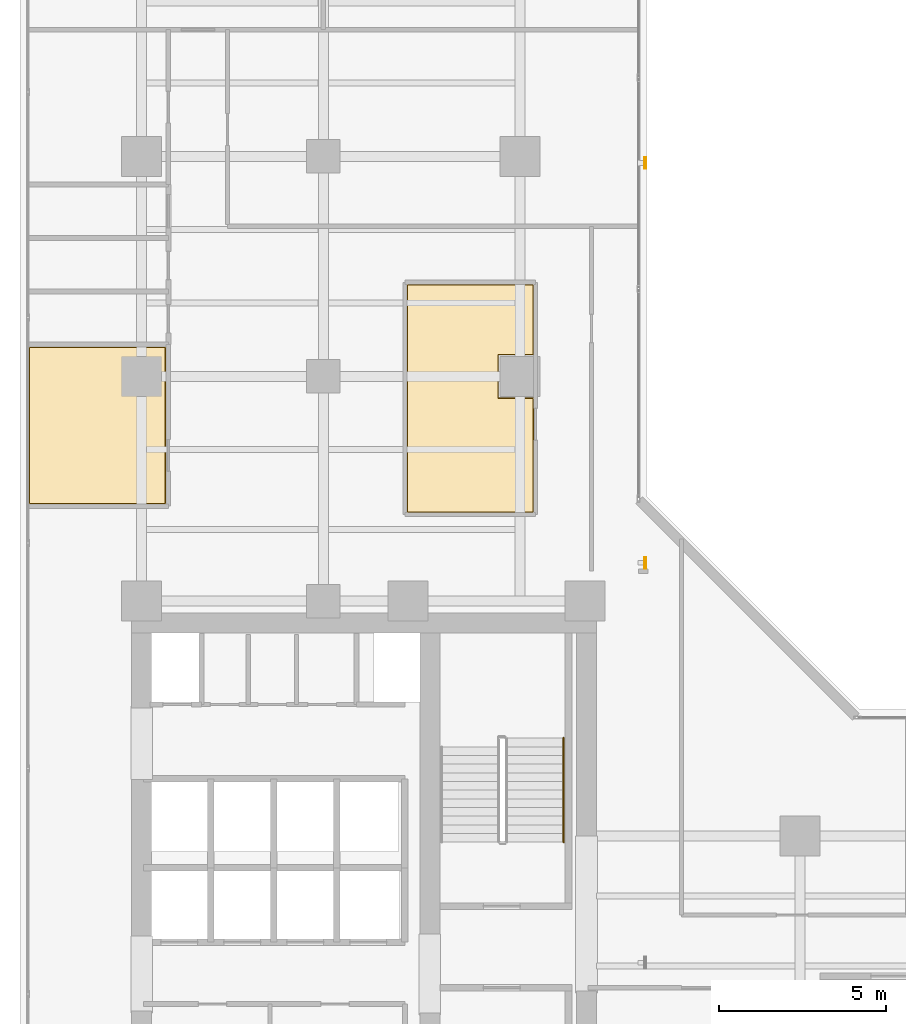
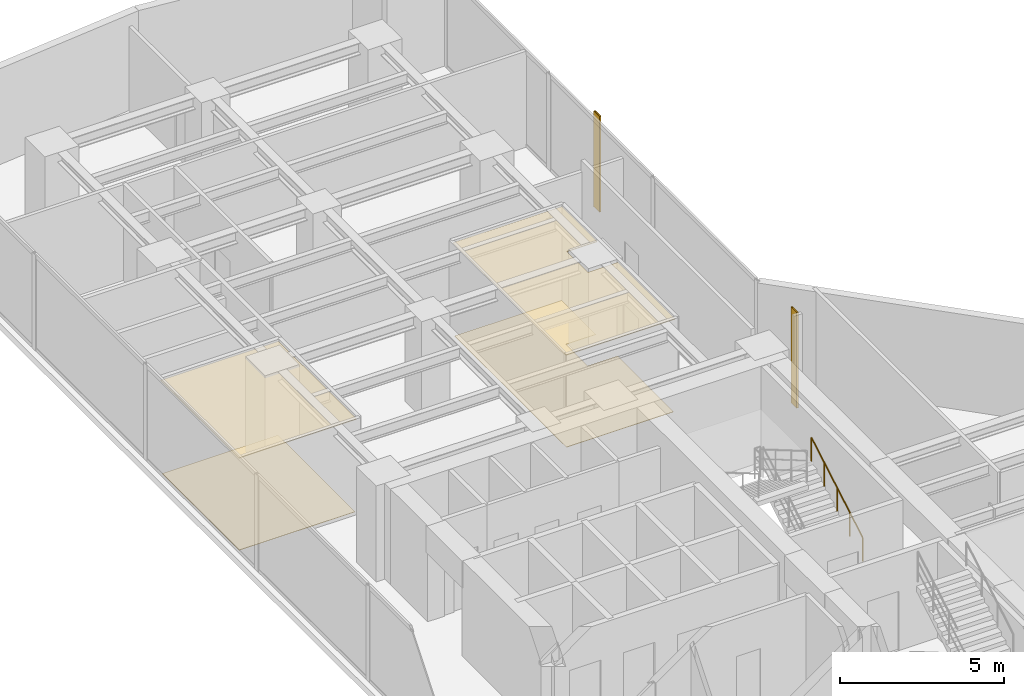
# One storey, part 24 of 24: 4 coverings, 2 shading devices, 1 railing.
"""IFC4 building model written with IfcOpenShell, lengths in metres."""

from ifc_helpers import new_model, si_unit, direction, frame, origin, origin_2d, place, context, subcontext, project, spatial, polyline, hollow_rectangle, circle, outline, extrude, material, layer, layer_set, material_profile, profile_set, type_object, element, save


model = new_model("IFC4")

# Units and contexts
model_context = context("Model", 3, precision=1e-05, world=origin(), true_north=direction((0.0, 1.0)))
body_context = subcontext(model_context, "Body", "Model", "MODEL_VIEW")
ifc_project = project(units=[si_unit("LENGTHUNIT", "METRE"), si_unit("AREAUNIT", "SQUARE_METRE"), si_unit("VOLUMEUNIT", "CUBIC_METRE"), si_unit("PLANEANGLEUNIT", "RADIAN"), si_unit("MASSUNIT", "GRAM", prefix="KILO")], contexts=[model_context])

# Site, building, storey
site_placement = place(None, origin())
site = spatial("IfcSite", under=ifc_project, at=site_placement, CompositionType="ELEMENT")
building_placement = place(site_placement, origin())
building = spatial("IfcBuilding", under=site, at=building_placement, Name="Kolvaren Waterfront Exchange", CompositionType="ELEMENT")
storey_placement = place(building_placement, frame((0.0, 0.0, 172.800048828125)))
storey = spatial("IfcBuildingStorey", under=building, at=storey_placement, Name="L44", CompositionType="ELEMENT", Elevation=172.800048828125)

# Coverings
ifc_material_1 = material(Name="Mineral fibre acoustic ceiling tile")
ifc_layer_1 = layer(ifc_material_1, 0.02490234375, Name="Mineral fibre acoustic ceiling tile")
ifc_layer_set_1 = layer_set([ifc_layer_1], Name="Mineral fibre acoustic ceiling tile")
covering_type_1 = type_object("IfcCoveringType", Name="ARC-CEIL-ACOUSTIC-25", PredefinedType="CEILING", material=ifc_layer_set_1)
covering_1_placement = place(storey_placement, frame((0.0, 0.0, 3.445068359375)))
element("IfcCovering", 1, at=covering_1_placement, inside=storey, type_object=covering_type_1, Name="L44 acoustic suspended ceiling 1", PredefinedType="CEILING", context=body_context, shape_type="SweptSolid", body=[
    extrude(outline(polyline([(19.22509765625, 30.56005859375), (18.159912109375, 30.56005859375), (18.159912109375, 31.840087890625), (19.22509765625, 31.840087890625), (19.22509765625, 33.97509765625), (15.39501953125, 33.97509765625), (15.39501953125, 27.094970703125), (19.22509765625, 27.094970703125), (19.22509765625, 30.56005859375)])), origin(), (0.0, 0.0, 1.0), 0.02490234375),
])
covering_2_placement = place(storey_placement, frame((0.0, 0.0, 3.445068359375)))
element("IfcCovering", 2, at=covering_2_placement, inside=storey, type_object=covering_type_1, Name="L44 acoustic suspended ceiling 2", PredefinedType="CEILING", context=body_context, shape_type="SweptSolid", body=[
    extrude(outline(polyline([(8.18505859375, 27.344970703125), (8.18505859375, 32.10498046875), (4.044921875, 32.10498046875), (4.044921875, 27.344970703125), (8.18505859375, 27.344970703125)])), origin(), (0.0, 0.0, 1.0), 0.02490234375),
])

# Shading devices
ifc_material_2 = material(Name="Anodised bronze aluminium 6063-T6", Category="aluminium")
ifc_material_profile = material_profile(ifc_material_2, hollow_rectangle(XDim=0.06005859375, YDim=0.35009765625, WallThickness=0.0048828125, at=origin_2d()), Name="BRZ-FIN-350x60x5")
ifc_profile_set = profile_set([ifc_material_profile], Name="Anodised bronze aluminium 6063-T6")
shading_device_type = type_object("IfcShadingDeviceType", Name="ARC-FIN-350", PredefinedType="USERDEFINED", material=ifc_profile_set)
for number, where, z_axis, x_axis, name in (
    (3, (22.56005859375, 25.60009765625, 0.0), (0.0, 0.0, 1.0), (1.0, 0.0, 0.0), "L44 anodised bronze solar shading fin FIN-L44-E2"),
    (4, (22.56005859375, 37.60009765625, 0.0), (0.0, 0.0, 1.0), (1.0, 0.0, 0.0), "L44 anodised bronze solar shading fin FIN-L44-E3"),
):
    element("IfcShadingDevice", number, at=place(storey_placement, frame(where, z_axis=z_axis, x_axis=x_axis)), inside=storey, type_object=shading_device_type, Name=name, ObjectType="SOLAR FIN", PredefinedType="USERDEFINED", context=body_context, shape_type="SweptSolid", body=[
        extrude(hollow_rectangle(XDim=0.06005859375, YDim=0.35009765625, WallThickness=0.0048828125, at=origin_2d()), origin(), (0.0, 0.0, 1.0), 3.56005859375),
    ])

# Coverings
ifc_material_3 = material(Name="Slip-resistant porcelain tile")
ifc_layer_2 = layer(ifc_material_3, 0.014892578125, Name="Slip-resistant porcelain tile")
ifc_layer_set_2 = layer_set([ifc_layer_2], Name="Slip-resistant porcelain tile")
covering_type_2 = type_object("IfcCoveringType", Name="ARC-FLR-PORC-15", PredefinedType="FLOORING", material=ifc_layer_set_2)
covering_3_placement = place(storey_placement, origin())
element("IfcCovering", 5, at=covering_3_placement, inside=storey, type_object=covering_type_2, Name="L44 floor finish 1", PredefinedType="FLOORING", context=body_context, shape_type="SweptSolid", body=[
    extrude(outline(polyline([(15.429931640625, 33.93994140625), (15.429931640625, 27.1298828125), (19.18994140625, 27.1298828125), (19.18994140625, 30.5400390625), (18.139892578125, 30.5400390625), (18.139892578125, 31.860107421875), (19.18994140625, 31.860107421875), (19.18994140625, 33.93994140625), (15.429931640625, 33.93994140625)])), origin(), (0.0, 0.0, 1.0), 0.014892578125),
])
covering_4_placement = place(storey_placement, origin())
element("IfcCovering", 6, at=covering_4_placement, inside=storey, type_object=covering_type_2, Name="L44 floor finish 2", PredefinedType="FLOORING", context=body_context, shape_type="SweptSolid", body=[
    extrude(outline(polyline([(4.080078125, 32.070068359375), (4.080078125, 27.3798828125), (8.14990234375, 27.3798828125), (8.14990234375, 32.070068359375), (4.080078125, 32.070068359375)])), origin(), (0.0, 0.0, 1.0), 0.014892578125),
])

# Railing
ifc_material_4 = material(Name="Stainless steel 316", Category="steel")
railing_type = type_object("IfcRailingType", Name="ARC-HANDRAIL-900", PredefinedType="HANDRAIL", material=ifc_material_4)
railing_placement = place(storey_placement, frame((20.110107421875, 17.219970703125, 0.15185546875)))
element("IfcRailing", 7, at=railing_placement, inside=storey, type_object=railing_type, Name="L44 ST2 stair handrail 1", PredefinedType="HANDRAIL", context=body_context, shape_type="SweptSolid", body=[
    extrude(circle(Radius=0.02392578125, at=origin_2d()), frame((0.0, 0.0, 0.8759765625), z_axis=(0.0, 0.86330811405, 0.504677223793), x_axis=(-1.0, 0.0, 0.0)), (0.0, 0.0, 1.0), 3.6142578125),
    extrude(circle(Radius=0.02099609375, at=origin_2d()), origin(), (0.0, 0.0, 1.0), 0.851806640625),
    extrude(circle(Radius=0.02099609375, at=origin_2d()), frame((0.0, 0.780029296875, 0.4560546875)), (0.0, 0.0, 1.0), 0.851806640625),
    extrude(circle(Radius=0.02099609375, at=origin_2d()), frame((0.0, 1.56005859375, 0.912109375)), (0.0, 0.0, 1.0), 0.851806640625),
    extrude(circle(Radius=0.02099609375, at=origin_2d()), frame((0.0, 2.340087890625, 1.367919921875)), (0.0, 0.0, 1.0), 0.851806640625),
    extrude(circle(Radius=0.02099609375, at=origin_2d()), frame((0.0, 3.1201171875, 1.823974609375)), (0.0, 0.0, 1.0), 0.851806640625),
])

save(model, "model.ifc")
